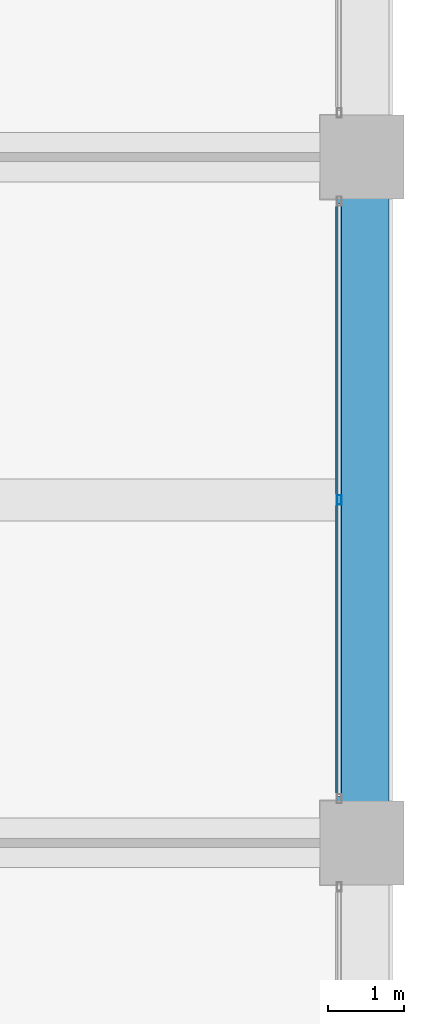
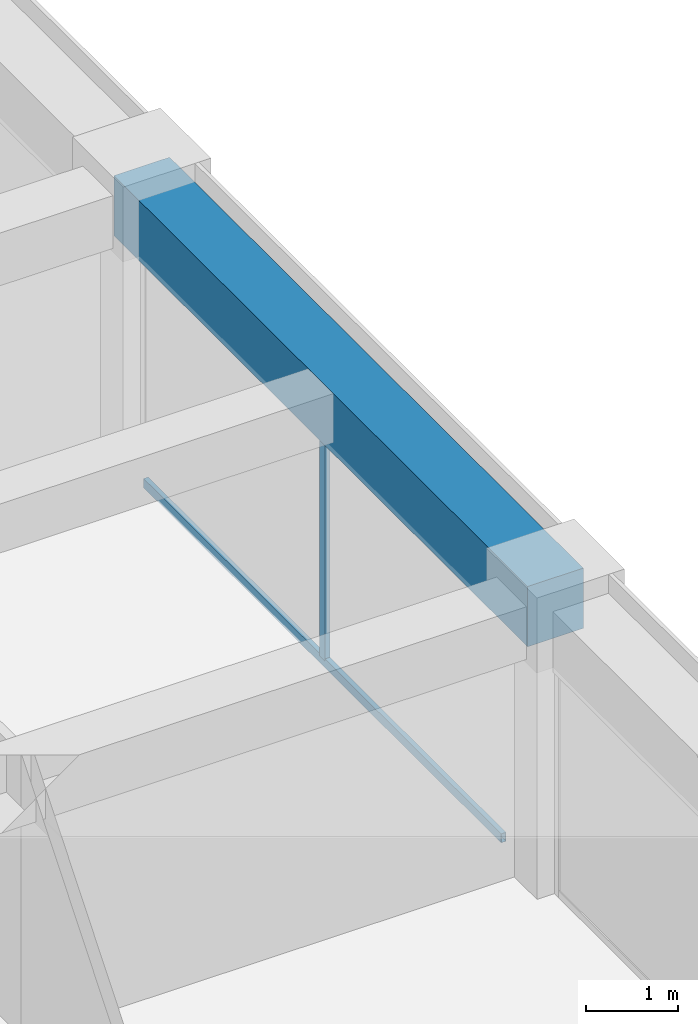
# One storey, part 25 of 44: 2 members, 1 beam, 1 element without a shape of its own.
"""IFC4 building model written with IfcOpenShell, lengths in metres."""

from ifc_helpers import new_model, si_unit, direction, frame, origin, origin_2d, place, context, subcontext, project, spatial, rectangle, hollow_rectangle, extrude, material, material_profile, profile_set, type_object, element, aggregate, save


model = new_model("IFC4")

# Units and contexts
model_context = context("Model", 3, precision=1e-05, world=origin(), true_north=direction((0.0, 1.0)))
body_context = subcontext(model_context, "Body", "Model", "MODEL_VIEW")
ifc_project = project(units=[si_unit("LENGTHUNIT", "METRE"), si_unit("AREAUNIT", "SQUARE_METRE"), si_unit("VOLUMEUNIT", "CUBIC_METRE"), si_unit("PLANEANGLEUNIT", "RADIAN"), si_unit("MASSUNIT", "GRAM", prefix="KILO")], contexts=[model_context])

# Site, building, storey
site_placement = place(None, origin())
site = spatial("IfcSite", under=ifc_project, at=site_placement, CompositionType="ELEMENT")
building_placement = place(site_placement, origin())
building = spatial("IfcBuilding", under=site, at=building_placement, Name="Zorevar Civic Tower", CompositionType="ELEMENT")
storey_placement = place(building_placement, frame((0.0, 0.0, 275.39990234375)))
storey = spatial("IfcBuildingStorey", under=building, at=storey_placement, Name="L67", CompositionType="ELEMENT", Elevation=275.39990234375)

# Curtain wall, members
ifc_material_1 = material(Name="Dark grey solar-control glass in black aluminium frame", Category="aluminium")
curtain_wall_type = type_object("IfcCurtainWallType", Name="Curtain wall CW5 top zone", PredefinedType="NOTDEFINED", material=ifc_material_1)
curtain_wall_placement = place(storey_placement, origin())
curtain_wall = element("IfcCurtainWall", 1, at=curtain_wall_placement, inside=storey, type_object=curtain_wall_type, Name="CW5 L67", PredefinedType="NOTDEFINED")
ifc_material_2 = material(Name="Aluminium, black anodised", Category="aluminium")
ifc_material_profile_1 = material_profile(ifc_material_2, hollow_rectangle(XDim=0.06005859375, YDim=0.1201171875, WallThickness=0.0029296875, at=origin_2d()), Name="AL 120x60x3")
ifc_profile_set_1 = profile_set([ifc_material_profile_1], Name="Aluminium, black anodised")
member_type_1 = type_object("IfcMemberType", Name="CW5 mullion AL 120x60x3", PredefinedType="MULLION", material=ifc_profile_set_1)
member_1_placement = place(storey_placement, frame((53.699951171875, 22.5, 0.06005859375), z_axis=(0.0, 0.0, 1.0), x_axis=(-1.0, 0.0, 0.0)))
member_1 = element("IfcMember", 2, at=member_1_placement, type_object=member_type_1, Name="CW5 mullion 2", PredefinedType="MULLION", context=body_context, shape_type="SweptSolid", body=[
    extrude(hollow_rectangle(XDim=0.06005859375, YDim=0.1201171875, WallThickness=0.0029296875, at=origin_2d()), origin(), (0.0, 0.0, 1.0), 2.89013671875),
])
ifc_material_3 = material(Name="Aluminium, black anodised", Category="aluminium")
ifc_material_profile_2 = material_profile(ifc_material_3, hollow_rectangle(XDim=0.06005859375, YDim=0.1201171875, WallThickness=0.0029296875, at=origin_2d()), Name="AL 120x60x3")
ifc_profile_set_2 = profile_set([ifc_material_profile_2], Name="Aluminium, black anodised")
member_type_2 = type_object("IfcMemberType", Name="CW5 transom AL 120x60x3", PredefinedType="USERDEFINED", material=ifc_profile_set_2)
member_2_placement = place(storey_placement, frame((53.699951171875, 18.610107421875, 0.030029296875), z_axis=(0.0, 1.0, 0.0), x_axis=(-1.0, 0.0, 0.0)))
member_2 = element("IfcMember", 3, at=member_2_placement, type_object=member_type_2, Name="CW5 sill transom", ObjectType="TRANSOM", PredefinedType="USERDEFINED", context=body_context, shape_type="SweptSolid", body=[
    extrude(hollow_rectangle(XDim=0.06005859375, YDim=0.1201171875, WallThickness=0.0029296875, at=origin_2d()), origin(), (0.0, 0.0, 1.0), 7.77978515625),
])
aggregate(curtain_wall, [member_1, member_2])

# Beam
ifc_material_4 = material(Name="Concrete C50/60", Category="concrete")
ifc_material_profile_3 = material_profile(ifc_material_4, rectangle(XDim=0.699951171875, YDim=0.800048828125, at=origin_2d()), Name="RC 700x800")
ifc_profile_set_3 = profile_set([ifc_material_profile_3], Name="Concrete C50/60")
beam_type = type_object("IfcBeamType", Name="Edge beam RC 700x800", PredefinedType="SPANDREL", material=ifc_profile_set_3)
beam_placement = place(storey_placement, frame((54.0, 18.0, 3.35009765625), z_axis=(0.0, 1.0, 0.0), x_axis=(-1.0, 0.0, 0.0)))
element("IfcBeam", 4, at=beam_placement, inside=storey, type_object=beam_type, Name="Edge beam L68", PredefinedType="SPANDREL", context=body_context, shape_type="SweptSolid", body=[
    extrude(rectangle(XDim=0.699951171875, YDim=0.800048828125, at=origin_2d()), origin(), (0.0, 0.0, 1.0), 9.0),
])

save(model, "model.ifc")
